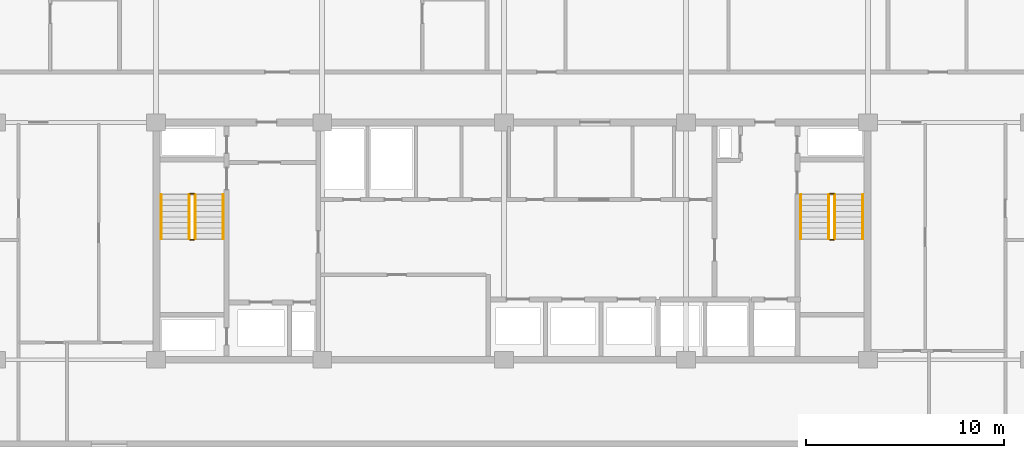
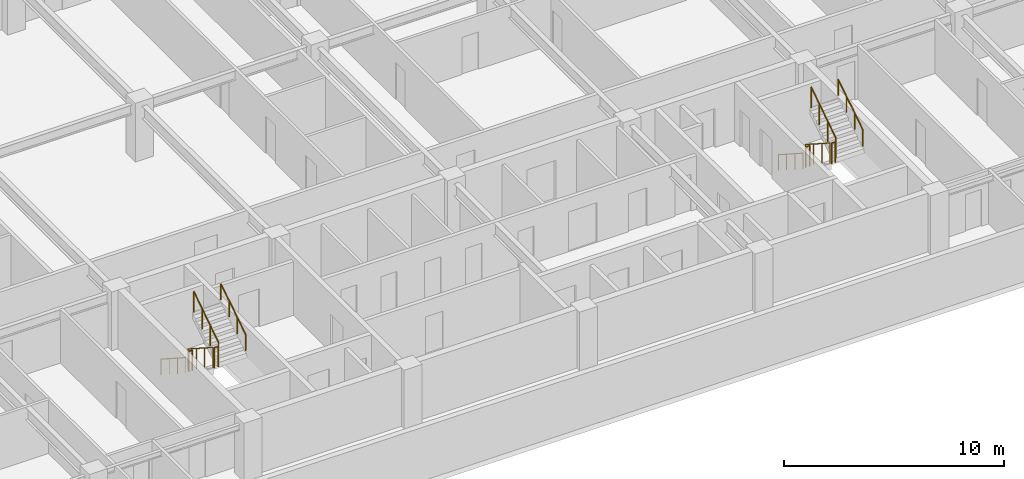
# One storey, part 21 of 22: 12 railings.
"""IFC4 building model written with IfcOpenShell, lengths in metres."""

from ifc_helpers import new_model, si_unit, direction, frame, origin, origin_2d, place, context, subcontext, project, spatial, circle, extrude, material, type_object, element, save


model = new_model("IFC4")

# Units and contexts
model_context = context("Model", 3, precision=1e-05, world=origin(), true_north=direction((0.0, 1.0)))
body_context = subcontext(model_context, "Body", "Model", "MODEL_VIEW")
ifc_project = project(units=[si_unit("LENGTHUNIT", "METRE"), si_unit("AREAUNIT", "SQUARE_METRE"), si_unit("VOLUMEUNIT", "CUBIC_METRE"), si_unit("PLANEANGLEUNIT", "RADIAN"), si_unit("MASSUNIT", "GRAM", prefix="KILO")], contexts=[model_context])

# Site, building, storey
site_placement = place(None, origin())
site = spatial("IfcSite", under=ifc_project, at=site_placement, CompositionType="ELEMENT")
building_placement = place(site_placement, origin())
building = spatial("IfcBuilding", under=site, at=building_placement, Name="Korimba Cascade Residences", CompositionType="ELEMENT")
storey_placement = place(building_placement, frame((0.0, 0.0, 129.550048828125)))
storey = spatial("IfcBuildingStorey", under=building, at=storey_placement, Name="L37", CompositionType="ELEMENT", Elevation=129.550048828125)

# Railings
ifc_material_1 = material(Name="Painted Steel Stairwell Guardrail", Category="steel")
railing_type_1 = type_object("IfcRailingType", Name="RLG-ST-GD1150", PredefinedType="GUARDRAIL", material=ifc_material_1)
railing_1_placement = place(storey_placement, frame((77.77001953125, 63.550048828125, 0.180419921875)))
element("IfcRailing", 1, at=railing_1_placement, inside=storey, type_object=railing_type_1, Name="L37 ST-W1 stair guard 1", PredefinedType="GUARDRAIL", context=body_context, shape_type="SweptSolid", body=[
    extrude(circle(Radius=0.02392578125, at=origin_2d()), frame((0.0, 0.0, 1.1259765625), z_axis=(0.0, -0.840394893359, 0.541974559565), x_axis=(1.0, 0.0, 0.0)), (0.0, 0.0, 1.0), 2.665283203125),
    extrude(circle(Radius=0.02099609375, at=origin_2d()), origin(), (0.0, 0.0, 1.0), 1.101806640625),
    extrude(circle(Radius=0.02099609375, at=origin_2d()), frame((0.0, -0.74658203125, 0.4814453125)), (0.0, 0.0, 1.0), 1.101806640625),
    extrude(circle(Radius=0.02099609375, at=origin_2d()), frame((0.0, -1.493408203125, 0.963134765625)), (0.0, 0.0, 1.0), 1.101806640625),
    extrude(circle(Radius=0.02099609375, at=origin_2d()), frame((0.0, -2.239990234375, 1.444580078125)), (0.0, 0.0, 1.0), 1.101806640625),
])
railing_2_placement = place(storey_placement, frame((77.820068359375, 61.260009765625, 1.625)))
element("IfcRailing", 2, at=railing_2_placement, inside=storey, type_object=railing_type_1, Name="L37 ST-W1 stair guard 2", PredefinedType="GUARDRAIL", context=body_context, shape_type="SweptSolid", body=[
    extrude(circle(Radius=0.02392578125, at=origin_2d()), frame((0.0, 0.0, 1.1259765625), z_axis=(1.0, 0.0, 0.0), x_axis=(0.0, 1.0, 0.0)), (0.0, 0.0, 1.0), 0.199951171875),
    extrude(circle(Radius=0.02099609375, at=origin_2d()), origin(), (0.0, 0.0, 1.0), 1.101806640625),
    extrude(circle(Radius=0.02099609375, at=origin_2d()), frame((0.199951171875, 0.0, 0.0)), (0.0, 0.0, 1.0), 1.101806640625),
])
railing_3_placement = place(storey_placement, frame((78.070068359375, 61.31005859375, 1.805419921875)))
element("IfcRailing", 3, at=railing_3_placement, inside=storey, type_object=railing_type_1, Name="L37 ST-W1 stair guard 3", PredefinedType="GUARDRAIL", context=body_context, shape_type="SweptSolid", body=[
    extrude(circle(Radius=0.02392578125, at=origin_2d()), frame((0.0, 0.0, 1.1259765625), z_axis=(0.0, 0.840394893359, 0.541974559565), x_axis=(-1.0, 0.0, 0.0)), (0.0, 0.0, 1.0), 2.665283203125),
    extrude(circle(Radius=0.02099609375, at=origin_2d()), origin(), (0.0, 0.0, 1.0), 1.101806640625),
    extrude(circle(Radius=0.02099609375, at=origin_2d()), frame((0.0, 0.74658203125, 0.4814453125)), (0.0, 0.0, 1.0), 1.101806640625),
    extrude(circle(Radius=0.02099609375, at=origin_2d()), frame((0.0, 1.493408203125, 0.963134765625)), (0.0, 0.0, 1.0), 1.101806640625),
    extrude(circle(Radius=0.02099609375, at=origin_2d()), frame((0.0, 2.239990234375, 1.444580078125)), (0.0, 0.0, 1.0), 1.101806640625),
])
railing_4_placement = place(storey_placement, frame((77.820068359375, 63.60009765625, 0.0)))
element("IfcRailing", 4, at=railing_4_placement, inside=storey, type_object=railing_type_1, Name="L37 ST-W1 stair guard 4", PredefinedType="GUARDRAIL", context=body_context, shape_type="SweptSolid", body=[
    extrude(circle(Radius=0.02392578125, at=origin_2d()), frame((0.0, 0.0, 1.1259765625), z_axis=(1.0, 0.0, 0.0), x_axis=(0.0, 1.0, 0.0)), (0.0, 0.0, 1.0), 0.199951171875),
    extrude(circle(Radius=0.02099609375, at=origin_2d()), origin(), (0.0, 0.0, 1.0), 1.101806640625),
    extrude(circle(Radius=0.02099609375, at=origin_2d()), frame((0.199951171875, 0.0, 0.0)), (0.0, 0.0, 1.0), 1.101806640625),
])
railing_5_placement = place(storey_placement, frame((110.1298828125, 63.550048828125, 0.180419921875)))
element("IfcRailing", 5, at=railing_5_placement, inside=storey, type_object=railing_type_1, Name="L37 ST-W2 stair guard 1", PredefinedType="GUARDRAIL", context=body_context, shape_type="SweptSolid", body=[
    extrude(circle(Radius=0.02392578125, at=origin_2d()), frame((0.0, 0.0, 1.1259765625), z_axis=(0.0, -0.840394893359, 0.541974559565), x_axis=(1.0, 0.0, 0.0)), (0.0, 0.0, 1.0), 2.665283203125),
    extrude(circle(Radius=0.02099609375, at=origin_2d()), origin(), (0.0, 0.0, 1.0), 1.101806640625),
    extrude(circle(Radius=0.02099609375, at=origin_2d()), frame((0.0, -0.74658203125, 0.4814453125)), (0.0, 0.0, 1.0), 1.101806640625),
    extrude(circle(Radius=0.02099609375, at=origin_2d()), frame((0.0, -1.493408203125, 0.963134765625)), (0.0, 0.0, 1.0), 1.101806640625),
    extrude(circle(Radius=0.02099609375, at=origin_2d()), frame((0.0, -2.239990234375, 1.444580078125)), (0.0, 0.0, 1.0), 1.101806640625),
])
railing_6_placement = place(storey_placement, frame((110.179931640625, 61.260009765625, 1.625)))
element("IfcRailing", 6, at=railing_6_placement, inside=storey, type_object=railing_type_1, Name="L37 ST-W2 stair guard 2", PredefinedType="GUARDRAIL", context=body_context, shape_type="SweptSolid", body=[
    extrude(circle(Radius=0.02392578125, at=origin_2d()), frame((0.0, 0.0, 1.1259765625), z_axis=(1.0, 0.0, 0.0), x_axis=(0.0, 1.0, 0.0)), (0.0, 0.0, 1.0), 0.199951171875),
    extrude(circle(Radius=0.02099609375, at=origin_2d()), origin(), (0.0, 0.0, 1.0), 1.101806640625),
    extrude(circle(Radius=0.02099609375, at=origin_2d()), frame((0.199951171875, 0.0, 0.0)), (0.0, 0.0, 1.0), 1.101806640625),
])
railing_7_placement = place(storey_placement, frame((110.429931640625, 61.31005859375, 1.805419921875)))
element("IfcRailing", 7, at=railing_7_placement, inside=storey, type_object=railing_type_1, Name="L37 ST-W2 stair guard 3", PredefinedType="GUARDRAIL", context=body_context, shape_type="SweptSolid", body=[
    extrude(circle(Radius=0.02392578125, at=origin_2d()), frame((0.0, 0.0, 1.1259765625), z_axis=(0.0, 0.840394893359, 0.541974559565), x_axis=(-1.0, 0.0, 0.0)), (0.0, 0.0, 1.0), 2.665283203125),
    extrude(circle(Radius=0.02099609375, at=origin_2d()), origin(), (0.0, 0.0, 1.0), 1.101806640625),
    extrude(circle(Radius=0.02099609375, at=origin_2d()), frame((0.0, 0.74658203125, 0.4814453125)), (0.0, 0.0, 1.0), 1.101806640625),
    extrude(circle(Radius=0.02099609375, at=origin_2d()), frame((0.0, 1.493408203125, 0.963134765625)), (0.0, 0.0, 1.0), 1.101806640625),
    extrude(circle(Radius=0.02099609375, at=origin_2d()), frame((0.0, 2.239990234375, 1.444580078125)), (0.0, 0.0, 1.0), 1.101806640625),
])
railing_8_placement = place(storey_placement, frame((110.179931640625, 63.60009765625, 0.0)))
element("IfcRailing", 8, at=railing_8_placement, inside=storey, type_object=railing_type_1, Name="L37 ST-W2 stair guard 4", PredefinedType="GUARDRAIL", context=body_context, shape_type="SweptSolid", body=[
    extrude(circle(Radius=0.02392578125, at=origin_2d()), frame((0.0, 0.0, 1.1259765625), z_axis=(1.0, 0.0, 0.0), x_axis=(0.0, 1.0, 0.0)), (0.0, 0.0, 1.0), 0.199951171875),
    extrude(circle(Radius=0.02099609375, at=origin_2d()), origin(), (0.0, 0.0, 1.0), 1.101806640625),
    extrude(circle(Radius=0.02099609375, at=origin_2d()), frame((0.199951171875, 0.0, 0.0)), (0.0, 0.0, 1.0), 1.101806640625),
])
ifc_material_2 = material(Name="Brushed Stainless Steel Handrail", Category="steel")
railing_type_2 = type_object("IfcRailingType", Name="RLG-ST-HR900", PredefinedType="HANDRAIL", material=ifc_material_2)
railing_9_placement = place(storey_placement, frame((76.35009765625, 63.550048828125, 0.364990234375)))
element("IfcRailing", 9, at=railing_9_placement, inside=storey, type_object=railing_type_2, Name="L37 ST-W1 stair handrail 1", PredefinedType="HANDRAIL", context=body_context, shape_type="SweptSolid", body=[
    extrude(circle(Radius=0.02392578125, at=origin_2d()), frame((0.0, 0.0, 0.8759765625), z_axis=(0.0, -0.840436612492, 0.541909863706), x_axis=(1.0, 0.0, 0.0)), (0.0, 0.0, 1.0), 2.665283203125),
    extrude(circle(Radius=0.02099609375, at=origin_2d()), origin(), (0.0, 0.0, 1.0), 0.851806640625),
    extrude(circle(Radius=0.02099609375, at=origin_2d()), frame((0.0, -0.74658203125, 0.4814453125)), (0.0, 0.0, 1.0), 0.851806640625),
    extrude(circle(Radius=0.02099609375, at=origin_2d()), frame((0.0, -1.493408203125, 0.962890625)), (0.0, 0.0, 1.0), 0.851806640625),
    extrude(circle(Radius=0.02099609375, at=origin_2d()), frame((0.0, -2.239990234375, 1.4443359375)), (0.0, 0.0, 1.0), 0.851806640625),
])
railing_10_placement = place(storey_placement, frame((79.489990234375, 61.31005859375, 1.989990234375)))
element("IfcRailing", 10, at=railing_10_placement, inside=storey, type_object=railing_type_2, Name="L37 ST-W1 stair handrail 2", PredefinedType="HANDRAIL", context=body_context, shape_type="SweptSolid", body=[
    extrude(circle(Radius=0.02392578125, at=origin_2d()), frame((0.0, 0.0, 0.8759765625), z_axis=(0.0, 0.840436612492, 0.541909863706), x_axis=(-1.0, 0.0, 0.0)), (0.0, 0.0, 1.0), 2.665283203125),
    extrude(circle(Radius=0.02099609375, at=origin_2d()), origin(), (0.0, 0.0, 1.0), 0.851806640625),
    extrude(circle(Radius=0.02099609375, at=origin_2d()), frame((0.0, 0.74658203125, 0.4814453125)), (0.0, 0.0, 1.0), 0.851806640625),
    extrude(circle(Radius=0.02099609375, at=origin_2d()), frame((0.0, 1.493408203125, 0.962890625)), (0.0, 0.0, 1.0), 0.851806640625),
    extrude(circle(Radius=0.02099609375, at=origin_2d()), frame((0.0, 2.239990234375, 1.4443359375)), (0.0, 0.0, 1.0), 0.851806640625),
])
railing_11_placement = place(storey_placement, frame((108.7099609375, 63.550048828125, 0.364990234375)))
element("IfcRailing", 11, at=railing_11_placement, inside=storey, type_object=railing_type_2, Name="L37 ST-W2 stair handrail 1", PredefinedType="HANDRAIL", context=body_context, shape_type="SweptSolid", body=[
    extrude(circle(Radius=0.02392578125, at=origin_2d()), frame((0.0, 0.0, 0.8759765625), z_axis=(0.0, -0.840436612492, 0.541909863706), x_axis=(1.0, 0.0, 0.0)), (0.0, 0.0, 1.0), 2.665283203125),
    extrude(circle(Radius=0.02099609375, at=origin_2d()), origin(), (0.0, 0.0, 1.0), 0.851806640625),
    extrude(circle(Radius=0.02099609375, at=origin_2d()), frame((0.0, -0.74658203125, 0.4814453125)), (0.0, 0.0, 1.0), 0.851806640625),
    extrude(circle(Radius=0.02099609375, at=origin_2d()), frame((0.0, -1.493408203125, 0.962890625)), (0.0, 0.0, 1.0), 0.851806640625),
    extrude(circle(Radius=0.02099609375, at=origin_2d()), frame((0.0, -2.239990234375, 1.4443359375)), (0.0, 0.0, 1.0), 0.851806640625),
])
railing_12_placement = place(storey_placement, frame((111.85009765625, 61.31005859375, 1.989990234375)))
element("IfcRailing", 12, at=railing_12_placement, inside=storey, type_object=railing_type_2, Name="L37 ST-W2 stair handrail 2", PredefinedType="HANDRAIL", context=body_context, shape_type="SweptSolid", body=[
    extrude(circle(Radius=0.02392578125, at=origin_2d()), frame((0.0, 0.0, 0.8759765625), z_axis=(0.0, 0.840436612492, 0.541909863706), x_axis=(-1.0, 0.0, 0.0)), (0.0, 0.0, 1.0), 2.665283203125),
    extrude(circle(Radius=0.02099609375, at=origin_2d()), origin(), (0.0, 0.0, 1.0), 0.851806640625),
    extrude(circle(Radius=0.02099609375, at=origin_2d()), frame((0.0, 0.74658203125, 0.4814453125)), (0.0, 0.0, 1.0), 0.851806640625),
    extrude(circle(Radius=0.02099609375, at=origin_2d()), frame((0.0, 1.493408203125, 0.962890625)), (0.0, 0.0, 1.0), 0.851806640625),
    extrude(circle(Radius=0.02099609375, at=origin_2d()), frame((0.0, 2.239990234375, 1.4443359375)), (0.0, 0.0, 1.0), 0.851806640625),
])

save(model, "model.ifc")
